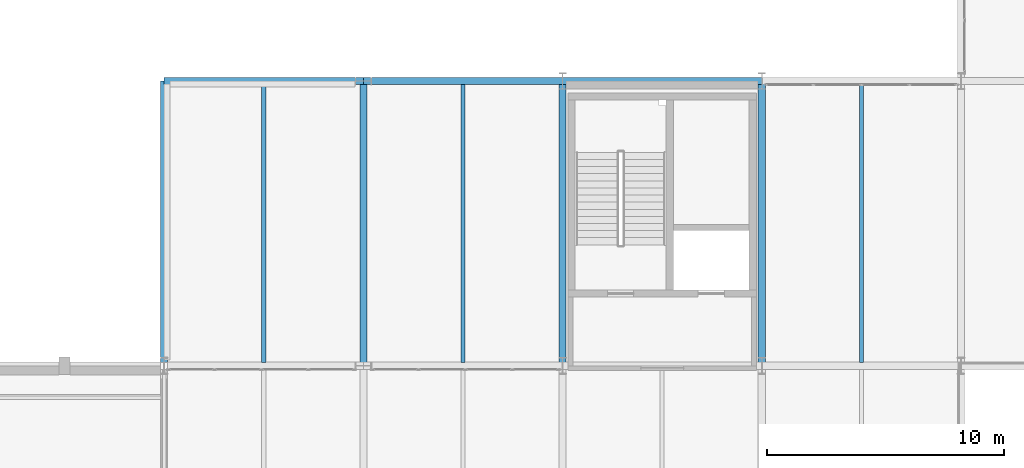
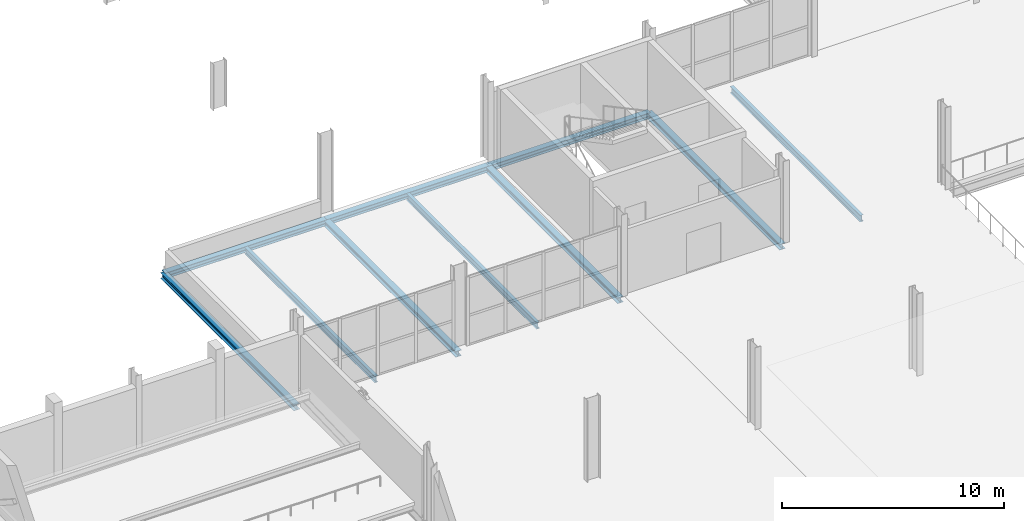
# One storey, part 47 of 113: 10 beams.
"""IFC4 building model written with IfcOpenShell, lengths in metres."""

import ifcopenshell
import ifcopenshell.guid

model = None  # the IFC model being written
_history = None  # IfcOwnerHistory: only IFC2X3 demands one
_inside = {}  # id of a spatial element -> (the spatial element, [elements in it])
_under = {}  # id of a project, library or spatial element -> (it, [spatial elements below it])
_declared = {}  # id of a project -> (the project, [libraries it declares])
_typed = {}  # id of a type object -> (the type object, [elements of that type])
_made_of = {}  # id of a material, layer set ... -> (it, [elements and type objects made of it])


def new_model(schema):
    """Start an empty IFC model of exactly this schema.

    Asked for "IFC4X3", IfcOpenShell would pick the latest addendum, in which some entities
    have other attributes; the version numbers below select the first issue.
    IFC2X3 requires an IfcOwnerHistory on every rooted entity: one is made here for all.
    """
    global model, _history
    if schema == "IFC4X3":
        model = ifcopenshell.file(schema_version=(4, 3, 0, 0))
    else:
        model = ifcopenshell.file(schema=schema)
    _inside.clear()
    _under.clear()
    _declared.clear()
    _typed.clear()
    _made_of.clear()
    _history = None
    if model.schema == "IFC2X3":
        org = make("IfcOrganization", Name="unknown")
        user = make(
            "IfcPersonAndOrganization",
            ThePerson=make("IfcPerson", FamilyName="unknown"),
            TheOrganization=org,
        )
        app = make(
            "IfcApplication",
            ApplicationDeveloper=org,
            Version="unknown",
            ApplicationFullName="unknown",
            ApplicationIdentifier="unknown",
        )
        _history = make(
            "IfcOwnerHistory",
            OwningUser=user,
            OwningApplication=app,
            ChangeAction="ADDED",
            CreationDate=0,
        )
    return model


def make(cls, **values):
    """One entity of the class cls with the attributes given. An attribute that is None is left unset."""
    return model.create_entity(
        cls, **{name: value for name, value in values.items() if value is not None}
    )


def rooted(cls, **values):
    """An entity with a GlobalId (a new one), such as an element, a storey or a relation."""
    return make(cls, GlobalId=ifcopenshell.guid.new(), OwnerHistory=_history, **values)


def si_unit(unit_type, name, prefix=None):
    """IfcSIUnit, for example si_unit("LENGTHUNIT", "METRE", prefix="MILLI")."""
    return make("IfcSIUnit", UnitType=unit_type, Prefix=prefix, Name=name)


def assignment(units):
    """IfcUnitAssignment: the units of a project."""
    return None if units is None else make("IfcUnitAssignment", Units=units)


def point(xyz):
    """IfcCartesianPoint."""
    return None if xyz is None else make("IfcCartesianPoint", Coordinates=xyz)


def direction(xyz):
    """IfcDirection."""
    return None if xyz is None else make("IfcDirection", DirectionRatios=xyz)


def frame(location, z_axis=None, x_axis=None):
    """IfcAxis2Placement3D, a coordinate frame: its origin and axes. An axis left out is left unset."""
    return make(
        "IfcAxis2Placement3D",
        Location=point(location),
        Axis=direction(z_axis),
        RefDirection=direction(x_axis),
    )


def frame_2d(location, x_axis=None):
    """IfcAxis2Placement2D, a coordinate frame in the plane: its origin and x axis."""
    return make(
        "IfcAxis2Placement2D", Location=point(location), RefDirection=direction(x_axis)
    )


def origin():
    """The frame at (0, 0, 0) with its axes left unset."""
    return frame((0.0, 0.0, 0.0))


def origin_2d():
    """The frame at (0, 0) in the plane with its x axis left unset."""
    return frame_2d((0.0, 0.0))


def place(relative_to, where):
    """IfcLocalPlacement: puts the frame where relative to a parent placement (None: the world)."""
    return make(
        "IfcLocalPlacement", PlacementRelTo=relative_to, RelativePlacement=where
    )


def context(
    kind, dimensions, precision=None, world=None, true_north=None, identifier=None
):
    """IfcGeometricRepresentationContext, for example the 3D "Model" context."""
    return make(
        "IfcGeometricRepresentationContext",
        ContextIdentifier=identifier,
        ContextType=kind,
        CoordinateSpaceDimension=dimensions,
        Precision=precision,
        WorldCoordinateSystem=world,
        TrueNorth=true_north,
    )


def subcontext(parent, identifier, kind, view, scale=None):
    """IfcGeometricRepresentationSubContext, for example "Body" below "Model"."""
    return make(
        "IfcGeometricRepresentationSubContext",
        ContextIdentifier=identifier,
        ContextType=kind,
        ParentContext=parent,
        TargetScale=scale,
        TargetView=view,
    )


def project(units=None, contexts=None):
    """IfcProject with its units and contexts."""
    return rooted(
        "IfcProject",
        Name="project",
        RepresentationContexts=contexts,
        UnitsInContext=assignment(units),
    )


def spatial(cls, under=None, at=None, **own):
    """A site, building, storey or space (cls), placed at a placement, below another one or the project."""
    s = rooted(cls, ObjectPlacement=at, **own)
    if under is not None:
        _under.setdefault(under.id(), (under, []))[1].append(s)
    return s


def profile(cls, at=None, kind="AREA", **sizes):
    """A parametric profile (cls). Its sizes go by their IFC names, for example OverallWidth=200.0."""
    return make(cls, ProfileType=kind, Position=at, **sizes)


def i_section(**sizes):
    """IfcIShapeProfileDef."""
    return profile("IfcIShapeProfileDef", **sizes)


def extrude(swept, where, along, depth):
    """IfcExtrudedAreaSolid: the profile swept, set in the frame where, extruded along a direction by depth."""
    return make(
        "IfcExtrudedAreaSolid",
        SweptArea=swept,
        Position=where,
        ExtrudedDirection=direction(along),
        Depth=depth,
    )


def shape(context_of_items, identifier, shape_type, items):
    """IfcShapeRepresentation: the items that make up one representation, for example the "Body"."""
    return make(
        "IfcShapeRepresentation",
        ContextOfItems=context_of_items,
        RepresentationIdentifier=identifier,
        RepresentationType=shape_type,
        Items=items,
    )


def material(Name=None, Category=None):
    """IfcMaterial."""
    return make("IfcMaterial", Name=Name, Category=Category)


def material_profile(
    of_material, cross_section, Name=None, Category=None, Priority=None
):
    """IfcMaterialProfile: a cross section and its material."""
    return make(
        "IfcMaterialProfile",
        Name=Name,
        Material=of_material,
        Profile=cross_section,
        Priority=Priority,
        Category=Category,
    )


def profile_set(profiles, Name=None, composite=None):
    """IfcMaterialProfileSet."""
    return make(
        "IfcMaterialProfileSet",
        Name=Name,
        MaterialProfiles=profiles,
        CompositeProfile=composite,
    )


def made_of(thing, what):
    """Note that an element or type object is made of a material, layer set ...; save() writes the relation."""
    if what is not None:
        _made_of.setdefault(what.id(), (what, []))[1].append(thing)
    return thing


def type_object(cls, material=None, **own):
    """A type object (cls), such as IfcWallType, which elements share."""
    return made_of(rooted(cls, **own), material)


def element(
    cls,
    number,
    at=None,
    inside=None,
    cuts=None,
    type_object=None,
    material=None,
    context=None,
    identifier="Body",
    shape_type=None,
    held_by="IfcProductDefinitionShape",
    body=None,
    shapes=None,
    **own,
):
    """One element of the class cls, such as IfcWall. Its Tag is "e" and its number.

    at: its placement. inside: the storey or other place that contains it. cuts: it is an
    opening in that element (IfcRelVoidsElement). A single representation is given by context,
    identifier, shape_type and body (its items); several are given by shapes. held_by: the class
    of the entity that holds the representations. save() writes the other relations.
    """
    e = rooted(cls, Tag="e%d" % number, ObjectPlacement=at, **own)
    if body is not None:
        shapes = [shape(context, identifier, shape_type, body)]
    if shapes is not None:
        e.Representation = make(held_by, Representations=shapes)
    if inside is not None:
        _inside.setdefault(inside.id(), (inside, []))[1].append(e)
    if cuts is not None:
        rooted(
            "IfcRelVoidsElement", RelatingBuildingElement=cuts, RelatedOpeningElement=e
        )
    if type_object is not None:
        _typed.setdefault(type_object.id(), (type_object, []))[1].append(e)
    return made_of(e, material)


def aggregate(whole, parts):
    """IfcRelAggregates: a whole, such as a stair, and the parts it consists of."""
    return rooted("IfcRelAggregates", RelatingObject=whole, RelatedObjects=parts)


def save(model, path):
    """Write the relations noted so far, then the file.

    IfcRelAggregates (storeys below a building ...), IfcRelContainedInSpatialStructure (elements
    in a storey), IfcRelDefinesByType, IfcRelAssociatesMaterial and IfcRelDeclares: one each for
    every whole, place, type object, material and project.
    """
    for whole, parts in _under.values():
        aggregate(whole, parts)
    for where, things in _inside.values():
        rooted(
            "IfcRelContainedInSpatialStructure",
            RelatedElements=things,
            RelatingStructure=where,
        )
    for kind, things in _typed.values():
        rooted("IfcRelDefinesByType", RelatedObjects=things, RelatingType=kind)
    for what, things in _made_of.values():
        rooted("IfcRelAssociatesMaterial", RelatedObjects=things, RelatingMaterial=what)
    for by, libraries in _declared.values():
        rooted("IfcRelDeclares", RelatingContext=by, RelatedDefinitions=libraries)
    model.write(path)


model = new_model("IFC4")

# Units and contexts
model_context = context("Model", 3, precision=1e-05, world=origin(), true_north=direction((0.0, 1.0)))
body_context = subcontext(model_context, "Body", "Model", "MODEL_VIEW")
ifc_project = project(units=[si_unit("LENGTHUNIT", "METRE"), si_unit("AREAUNIT", "SQUARE_METRE"), si_unit("VOLUMEUNIT", "CUBIC_METRE"), si_unit("PLANEANGLEUNIT", "RADIAN"), si_unit("MASSUNIT", "GRAM", prefix="KILO")], contexts=[model_context])

# Site, building, storey
site_placement = place(None, origin())
site = spatial("IfcSite", under=ifc_project, at=site_placement, CompositionType="ELEMENT")
building_placement = place(site_placement, origin())
building = spatial("IfcBuilding", under=site, at=building_placement, Name="Veltarok Museum of Natural Sciences", CompositionType="ELEMENT")
storey_placement = place(building_placement, frame((0.0, 0.0, 8.39990234375)))
storey = spatial("IfcBuildingStorey", under=building, at=storey_placement, Name="L01", CompositionType="ELEMENT", Elevation=8.39990234375)

# Beams
ifc_material = material(Name="Steel S355J2", Category="steel")
ifc_material_profile_1 = material_profile(ifc_material, i_section(OverallWidth=0.169921875, OverallDepth=0.360107421875, WebThickness=0.008056640625, FlangeThickness=0.0126953125, FilletRadius=0.01806640625, at=origin_2d()), Name="IPE 360")
ifc_profile_set_1 = profile_set([ifc_material_profile_1], Name="Steel S355J2")
beam_type_1 = type_object("IfcBeamType", Name="Long-Bay Composite Joist IPE 360", PredefinedType="JOIST", material=ifc_profile_set_1)
for number, where, z_axis, x_axis, name in (
    (1, (27.39990234375, 60.14794921875, -0.429931640625), (0.0, 1.0, 0.0), (-1.0, 0.0, 0.0), "Secondary Joist BM-J01 L01 3-4/G-H.1"),
    (2, (35.800048828125, 60.14794921875, -0.429931640625), (0.0, 1.0, 0.0), (-1.0, 0.0, 0.0), "Secondary Joist BM-J01 L01 4-5/G-H.1"),
    (3, (52.60009765625, 60.14794921875, -0.429931640625), (0.0, 1.0, 0.0), (-1.0, 0.0, 0.0), "Secondary Joist BM-J01 L01 6-7/G-H.1"),
):
    element("IfcBeam", number, at=place(storey_placement, frame(where, z_axis=z_axis, x_axis=x_axis)), inside=storey, type_object=beam_type_1, Name=name, PredefinedType="JOIST", context=body_context, shape_type="SweptSolid", body=[
        extrude(i_section(OverallWidth=0.169921875, OverallDepth=0.360107421875, WebThickness=0.008056640625, FlangeThickness=0.0126953125, FilletRadius=0.01806640625, at=origin_2d()), origin(), (0.0, 0.0, 1.0), 11.7041015625),
    ])
ifc_material_profile_2 = material_profile(ifc_material, i_section(OverallWidth=0.300048828125, OverallDepth=0.320068359375, WebThickness=0.011474609375, FlangeThickness=0.0205078125, FilletRadius=0.027099609375, at=origin_2d()), Name="HEB 320")
ifc_profile_set_2 = profile_set([ifc_material_profile_2], Name="Steel S355J2")
beam_type_2 = type_object("IfcBeamType", Name="Perimeter Sawtooth Spandrel HEB 320", PredefinedType="SPANDREL", material=ifc_profile_set_2)
beam_placement = place(storey_placement, frame((23.199951171875, 72.0, -0.409912109375), z_axis=(1.0, 0.0, 0.0), x_axis=(0.0, 1.0, 0.0)))
element("IfcBeam", 4, at=beam_placement, inside=storey, type_object=beam_type_2, Name="Beam BM-SP06 L01 3-4/H", PredefinedType="SPANDREL", context=body_context, shape_type="SweptSolid", body=[
    extrude(i_section(OverallWidth=0.300048828125, OverallDepth=0.320068359375, WebThickness=0.011474609375, FlangeThickness=0.0205078125, FilletRadius=0.027099609375, at=origin_2d()), origin(), (0.0, 0.0, 1.0), 8.400146484375),
])
for number, where, z_axis, x_axis, name in (
    (5, (31.60009765625, 72.0, -0.409912109375), (1.0, 0.0, 0.0), (0.0, 1.0, 0.0), "Beam BM-SP06 L01 4-5/H"),
    (6, (40.0, 72.0, -0.409912109375), (1.0, 0.0, 0.0), (0.0, 1.0, 0.0), "Beam BM-SP06 L01 5-6/H"),
):
    element("IfcBeam", number, at=place(storey_placement, frame(where, z_axis=z_axis, x_axis=x_axis)), inside=storey, type_object=beam_type_2, Name=name, PredefinedType="SPANDREL", context=body_context, shape_type="SweptSolid", body=[
        extrude(i_section(OverallWidth=0.300048828125, OverallDepth=0.320068359375, WebThickness=0.011474609375, FlangeThickness=0.0205078125, FilletRadius=0.027099609375, at=origin_2d()), origin(), (0.0, 0.0, 1.0), 8.39990234375),
    ])
for number, where, z_axis, x_axis, name in (
    (7, (23.199951171875, 60.0, -0.409912109375), (0.0, 1.0, 0.0), (-1.0, 0.0, 0.0), "Beam BM-SP06 L01 3/G-H"),
    (8, (31.60009765625, 60.0, -0.409912109375), (0.0, 1.0, 0.0), (-1.0, 0.0, 0.0), "Beam BM-SP06 L01 4/G-H"),
    (9, (40.0, 60.0, -0.409912109375), (0.0, 1.0, 0.0), (-1.0, 0.0, 0.0), "Beam BM-SP06 L01 5/G-H"),
    (10, (48.39990234375, 60.0, -0.409912109375), (0.0, 1.0, 0.0), (-1.0, 0.0, 0.0), "Beam BM-SP06 L01 6/G-H"),
):
    element("IfcBeam", number, at=place(storey_placement, frame(where, z_axis=z_axis, x_axis=x_axis)), inside=storey, type_object=beam_type_2, Name=name, PredefinedType="SPANDREL", context=body_context, shape_type="SweptSolid", body=[
        extrude(i_section(OverallWidth=0.300048828125, OverallDepth=0.320068359375, WebThickness=0.011474609375, FlangeThickness=0.0205078125, FilletRadius=0.027099609375, at=origin_2d()), origin(), (0.0, 0.0, 1.0), 12.0),
    ])

save(model, "model.ifc")
